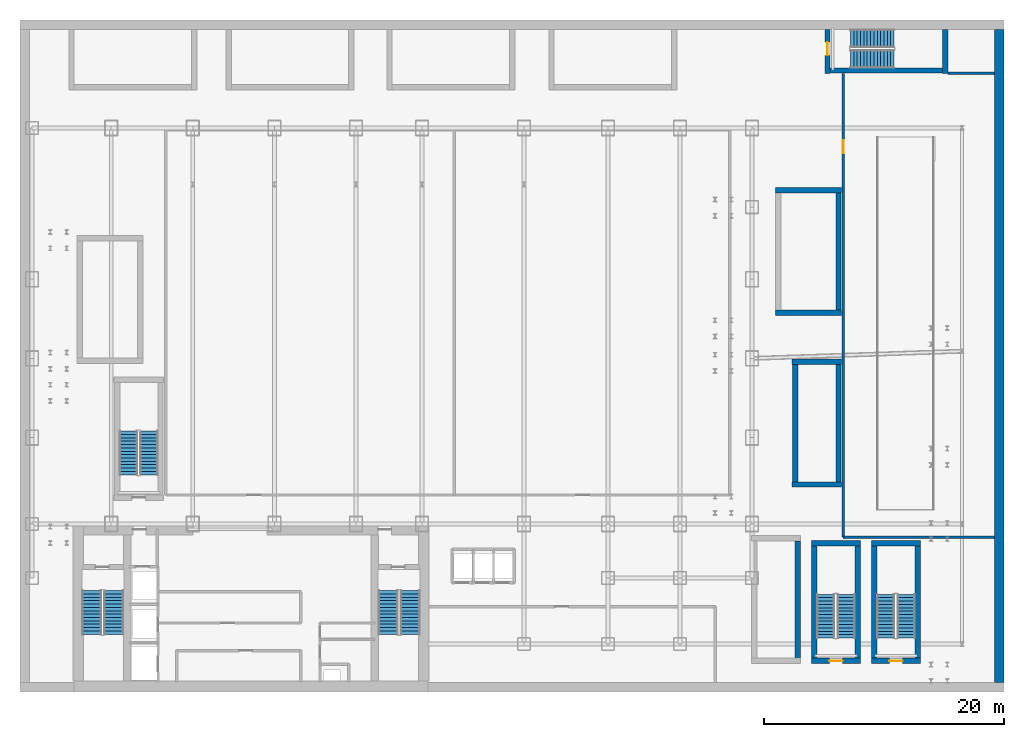
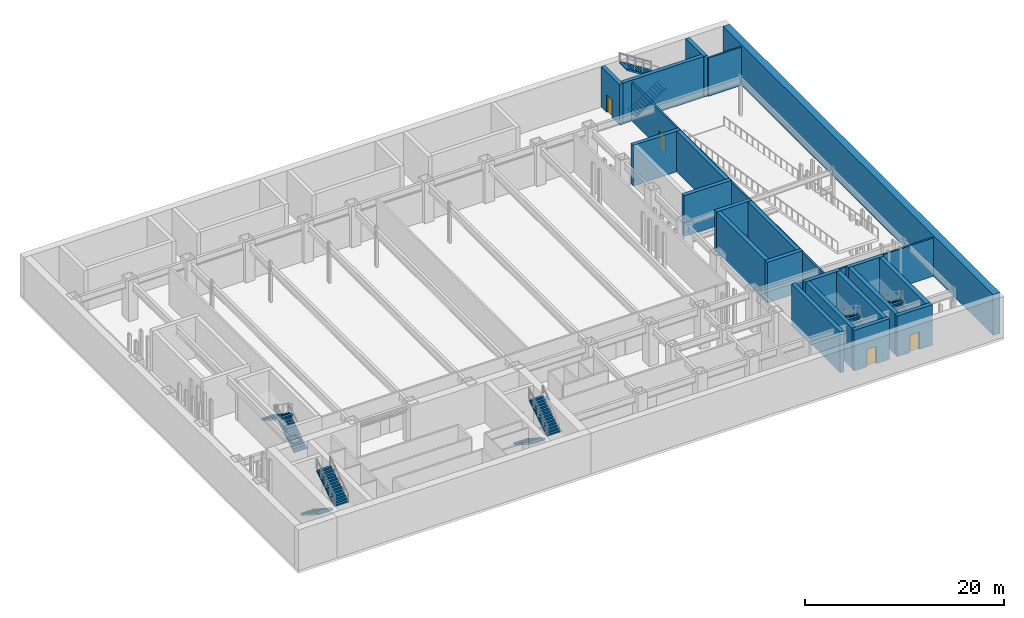
# One storey, part 12 of 16: 23 walls, 12 stair flights, 4 doors, 4 openings, 6 elements without a shape of their own.
"""IFC4 building model written with IfcOpenShell, lengths in metres."""

from ifc_helpers import new_model, si_unit, derived_unit, direction, frame, frame_2d, origin, place, context, subcontext, project, spatial, polyline, rectangle, outline, extrude, source, transform, mapped, material, layer, layer_set, type_object, element, fill, aggregate, save


model = new_model("IFC4")

# Units and contexts
model_context = context("Model", 3, precision=1e-05, world=origin(), true_north=direction((0.0, 1.0)))
body_context = subcontext(model_context, "Body", "Model", "MODEL_VIEW")
ifc_project = project(units=[si_unit("LENGTHUNIT", "METRE"), si_unit("AREAUNIT", "SQUARE_METRE"), si_unit("VOLUMEUNIT", "CUBIC_METRE"), si_unit("PLANEANGLEUNIT", "RADIAN"), si_unit("MASSUNIT", "GRAM", prefix="KILO"), derived_unit("THERMALTRANSMITTANCEUNIT", [(si_unit("POWERUNIT", "WATT"), 1), (si_unit("LENGTHUNIT", "METRE"), -2), (si_unit("THERMODYNAMICTEMPERATUREUNIT", "KELVIN"), -1)])], contexts=[model_context])

# Site, building, storey
site_placement = place(None, origin())
site = spatial("IfcSite", under=ifc_project, at=site_placement, CompositionType="ELEMENT")
building_placement = place(site_placement, origin())
building = spatial("IfcBuilding", under=site, at=building_placement, Name="Skarnbrae Concourse Arena and Tower", CompositionType="ELEMENT")
storey_placement = place(building_placement, frame((0.0, 0.0, -5.0)))
storey = spatial("IfcBuildingStorey", under=building, at=storey_placement, Name="B01", CompositionType="ELEMENT", Elevation=-5.0)

# Wall
ifc_material_1 = material(Name="Concrete 50 MPa (C50/60)", Category="concrete")
ifc_layer_1 = layer(ifc_material_1, 0.800048828125)
ifc_layer_set_1 = layer_set([ifc_layer_1], Name="Concrete 50 MPa (C50/60)")
wall_type_1 = type_object("IfcWallType", Name="WALL-RETAINING-800", PredefinedType="USERDEFINED", material=ifc_layer_set_1)
shared_shape_1 = source(origin(), body_context, "Body", "SweptSolid", [
    extrude(rectangle(XDim=54.39990234375, YDim=0.800048828125, at=frame_2d((27.199951171875, 0.0))), origin(), (0.0, 0.0, 1.0), 5.0),
])
wall_1_placement = place(storey_placement, frame((81.60009765625, 0.800048828125, 0.0), z_axis=(0.0, 0.0, 1.0), x_axis=(0.0, 1.0, 0.0)))
element("IfcWall", 1, at=wall_1_placement, inside=storey, type_object=wall_type_1, Name="B01 Basement retaining wall RW-E", ObjectType="RETAINING WALL", PredefinedType="USERDEFINED", context=body_context, shape_type="MappedRepresentation", body=[
    mapped(shared_shape_1, transform((0.0, 0.0, 0.0))),
])

# Wall, opening, door
ifc_layer_2 = layer(ifc_material_1, 0.449951171875)
ifc_layer_set_2 = layer_set([ifc_layer_2], Name="Concrete 50 MPa (C50/60)")
wall_type_2 = type_object("IfcWallType", Name="WALL-CORE-450-C50", PredefinedType="SHEAR", material=ifc_layer_set_2)
shared_shape_2 = source(origin(), body_context, "Body", "SweptSolid", [
    extrude(rectangle(XDim=4.10009765625, YDim=0.449951171875, at=frame_2d((2.050048828125, 0.0))), origin(), (0.0, 0.0, 1.0), 5.0),
])
wall_2_placement = place(storey_placement, frame((65.949951171875, 2.594970703125, 0.0), z_axis=(0.0, 0.0, 1.0), x_axis=(1.0, 0.0, 0.0)))
wall_2 = element("IfcWall", 2, at=wall_2_placement, inside=storey, type_object=wall_type_2, Name="B01 Protected stair shaft wall ST-B1-S", PredefinedType="SHEAR", context=body_context, shape_type="MappedRepresentation", body=[
    mapped(shared_shape_2, transform((0.0, 0.0, 0.0))),
])
opening_1_placement = place(wall_2_placement, frame((1.5, 0.0, 0.0)))
opening_1 = element("IfcOpeningElement", 3, at=opening_1_placement, cuts=wall_2, Name="Opening DT-03", PredefinedType="OPENING", context=body_context, shape_type="SweptSolid", body=[
    extrude(rectangle(XDim=1.10009765625, YDim=2.14990234375, at=frame_2d((0.550048828125, 1.074951171875))), frame((0.0, 0.23486328125, 0.0), z_axis=(0.0, -1.0, 0.0), x_axis=(1.0, 0.0, 0.0)), (0.0, 0.0, 1.0), 0.469970703125),
])
ifc_material_2 = material(Name="Steel CSA G40.21 350W", Category="steel")
door_type = type_object("IfcDoorType", Name="DOOR-FIRE-1100-90M", OperationType="NOTDEFINED", PredefinedType="DOOR", material=ifc_material_2)
shared_shape_3 = source(origin(), body_context, "Body", "SweptSolid", [
    extrude(rectangle(XDim=1.10009765625, YDim=2.14990234375, at=frame_2d((0.550048828125, 1.074951171875))), frame((0.0, 0.02490234375, 0.0), z_axis=(0.0, -1.0, 0.0), x_axis=(1.0, 0.0, 0.0)), (0.0, 0.0, 1.0), 0.050048828125),
])
door_1_placement = place(opening_1_placement, origin())
door_1 = element("IfcDoor", 4, at=door_1_placement, inside=storey, type_object=door_type, Name="D-0141 Exit Stair ST-B1 Door", OperationType="SINGLE_SWING_RIGHT", OverallHeight=2.14990234375, OverallWidth=1.10009765625, PredefinedType="DOOR", context=body_context, shape_type="MappedRepresentation", body=[
    mapped(shared_shape_3, transform((0.0, 0.0, 0.0))),
])
fill(opening_1, door_1)

# Wall
wall_3_placement = place(storey_placement, frame((65.949951171875, 12.405029296875, 0.0), z_axis=(0.0, 0.0, 1.0), x_axis=(1.0, 0.0, 0.0)))
element("IfcWall", 5, at=wall_3_placement, inside=storey, type_object=wall_type_2, Name="B01 Protected stair shaft wall ST-B1-N", PredefinedType="SHEAR", context=body_context, shape_type="MappedRepresentation", body=[
    mapped(shared_shape_2, transform((0.0, 0.0, 0.0))),
])

# Wall, opening, door
wall_4_placement = place(storey_placement, frame((70.949951171875, 2.594970703125, 0.0), z_axis=(0.0, 0.0, 1.0), x_axis=(1.0, 0.0, 0.0)))
wall_4 = element("IfcWall", 6, at=wall_4_placement, inside=storey, type_object=wall_type_2, Name="B01 Protected stair shaft wall ST-B2-S", PredefinedType="SHEAR", context=body_context, shape_type="MappedRepresentation", body=[
    mapped(shared_shape_2, transform((0.0, 0.0, 0.0))),
])
opening_2_placement = place(wall_4_placement, frame((1.5, 0.0, 0.0)))
opening_2 = element("IfcOpeningElement", 7, at=opening_2_placement, cuts=wall_4, Name="Opening DT-03", PredefinedType="OPENING", context=body_context, shape_type="SweptSolid", body=[
    extrude(rectangle(XDim=1.10009765625, YDim=2.14990234375, at=frame_2d((0.550048828125, 1.074951171875))), frame((0.0, 0.23486328125, 0.0), z_axis=(0.0, -1.0, 0.0), x_axis=(1.0, 0.0, 0.0)), (0.0, 0.0, 1.0), 0.469970703125),
])
door_2_placement = place(opening_2_placement, origin())
door_2 = element("IfcDoor", 8, at=door_2_placement, inside=storey, type_object=door_type, Name="D-0142 Exit Stair ST-B2 Door", OperationType="SINGLE_SWING_RIGHT", OverallHeight=2.14990234375, OverallWidth=1.10009765625, PredefinedType="DOOR", context=body_context, shape_type="MappedRepresentation", body=[
    mapped(shared_shape_3, transform((0.0, 0.0, 0.0))),
])
fill(opening_2, door_2)

# Walls
wall_5_placement = place(storey_placement, frame((70.949951171875, 12.405029296875, 0.0), z_axis=(0.0, 0.0, 1.0), x_axis=(1.0, 0.0, 0.0)))
element("IfcWall", 9, at=wall_5_placement, inside=storey, type_object=wall_type_2, Name="B01 Protected stair shaft wall ST-B2-N", PredefinedType="SHEAR", context=body_context, shape_type="MappedRepresentation", body=[
    mapped(shared_shape_2, transform((0.0, 0.0, 0.0))),
])
shared_shape_4 = source(origin(), body_context, "Body", "SweptSolid", [
    extrude(rectangle(XDim=9.800048828125, YDim=0.449951171875, at=frame_2d((4.89990234375, 0.0))), origin(), (0.0, 0.0, 1.0), 5.0),
])
for number, where, z_axis, x_axis, name in (
    (10, (64.804931640625, 2.800048828125, 0.0), (0.0, 0.0, 1.0), (0.0, 1.0, 0.0), "B01 Protected stair shaft wall ST-A1-E"),
    (11, (64.594970703125, 17.5, 0.0), (0.0, 0.0, 1.0), (0.0, 1.0, 0.0), "B01 Protected stair shaft wall ST-A2-W"),
    (12, (68.205078125, 17.5, 0.0), (0.0, 0.0, 1.0), (0.0, 1.0, 0.0), "B01 Protected stair shaft wall ST-A2-E"),
    (13, (68.205078125, 31.800048828125, 0.0), (0.0, 0.0, 1.0), (0.0, 1.0, 0.0), "B01 Protected stair shaft wall ST-A4-E"),
):
    element("IfcWall", number, at=place(storey_placement, frame(where, z_axis=z_axis, x_axis=x_axis)), inside=storey, type_object=wall_type_2, Name=name, PredefinedType="SHEAR", context=body_context, shape_type="MappedRepresentation", body=[
        mapped(shared_shape_4, transform((0.0, 0.0, 0.0))),
    ])
shared_shape_5 = source(origin(), body_context, "Body", "SweptSolid", [
    extrude(rectangle(XDim=4.099853515625, YDim=0.449951171875, at=frame_2d((2.0498046875, 0.0))), origin(), (0.0, 0.0, 1.0), 5.0),
])
for number, where, z_axis, x_axis, name in (
    (14, (64.35009765625, 17.294921875, 0.0), (0.0, 0.0, 1.0), (1.0, 0.0, 0.0), "B01 Protected stair shaft wall ST-A2-S"),
    (15, (64.35009765625, 27.5048828125, 0.0), (0.0, 0.0, 1.0), (1.0, 0.0, 0.0), "B01 Protected stair shaft wall ST-A2-N"),
):
    element("IfcWall", number, at=place(storey_placement, frame(where, z_axis=z_axis, x_axis=x_axis)), inside=storey, type_object=wall_type_2, Name=name, PredefinedType="SHEAR", context=body_context, shape_type="MappedRepresentation", body=[
        mapped(shared_shape_5, transform((0.0, 0.0, 0.0))),
    ])
shared_shape_6 = source(origin(), body_context, "Body", "SweptSolid", [
    extrude(rectangle(XDim=5.5, YDim=0.449951171875, at=frame_2d((2.75, 0.0))), origin(), (0.0, 0.0, 1.0), 5.0),
])
for number, where, z_axis, x_axis, name in (
    (16, (62.949951171875, 31.594970703125, 0.0), (0.0, 0.0, 1.0), (1.0, 0.0, 0.0), "B01 Protected stair shaft wall ST-A4-S"),
    (17, (62.949951171875, 41.804931640625, 0.0), (0.0, 0.0, 1.0), (1.0, 0.0, 0.0), "B01 Protected stair shaft wall ST-A4-N"),
):
    element("IfcWall", number, at=place(storey_placement, frame(where, z_axis=z_axis, x_axis=x_axis)), inside=storey, type_object=wall_type_2, Name=name, PredefinedType="SHEAR", context=body_context, shape_type="MappedRepresentation", body=[
        mapped(shared_shape_6, transform((0.0, 0.0, 0.0))),
    ])
shared_shape_7 = source(origin(), body_context, "Body", "SweptSolid", [
    extrude(rectangle(XDim=9.39990234375, YDim=0.449951171875, at=frame_2d((4.699951171875, 0.0))), origin(), (0.0, 0.0, 1.0), 5.0),
])
for number, where, z_axis, x_axis, name in (
    (18, (66.195068359375, 2.800048828125, 0.0), (0.0, 0.0, 1.0), (0.0, 1.0, 0.0), "B01 Protected stair shaft wall ST-B1-W"),
    (19, (69.804931640625, 2.800048828125, 0.0), (0.0, 0.0, 1.0), (0.0, 1.0, 0.0), "B01 Protected stair shaft wall ST-B1-E"),
    (20, (71.195068359375, 2.800048828125, 0.0), (0.0, 0.0, 1.0), (0.0, 1.0, 0.0), "B01 Protected stair shaft wall ST-B2-W"),
    (21, (74.804931640625, 2.800048828125, 0.0), (0.0, 0.0, 1.0), (0.0, 1.0, 0.0), "B01 Protected stair shaft wall ST-B2-E"),
    (22, (67.5, 51.794921875, 0.0), (0.0, 0.0, 1.0), (1.0, 0.0, 0.0), "B01 Protected stair shaft wall ST-B4-S"),
):
    element("IfcWall", number, at=place(storey_placement, frame(where, z_axis=z_axis, x_axis=x_axis)), inside=storey, type_object=wall_type_2, Name=name, PredefinedType="SHEAR", context=body_context, shape_type="MappedRepresentation", body=[
        mapped(shared_shape_7, transform((0.0, 0.0, 0.0))),
    ])

# Wall, opening, door
shared_shape_8 = source(origin(), body_context, "Body", "SweptSolid", [
    extrude(rectangle(XDim=3.64990234375, YDim=0.449951171875, at=frame_2d((1.824951171875, 0.0))), origin(), (0.0, 0.0, 1.0), 5.0),
])
wall_6_placement = place(storey_placement, frame((67.294921875, 51.550048828125, 0.0), z_axis=(0.0, 0.0, 1.0), x_axis=(0.0, 1.0, 0.0)))
wall_6 = element("IfcWall", 23, at=wall_6_placement, inside=storey, type_object=wall_type_2, Name="B01 Protected stair shaft wall ST-B4-W", PredefinedType="SHEAR", context=body_context, shape_type="MappedRepresentation", body=[
    mapped(shared_shape_8, transform((0.0, 0.0, 0.0))),
])
opening_3_placement = place(wall_6_placement, frame((1.5, 0.0, 0.0)))
opening_3 = element("IfcOpeningElement", 24, at=opening_3_placement, cuts=wall_6, Name="Opening DT-03", PredefinedType="OPENING", context=body_context, shape_type="SweptSolid", body=[
    extrude(rectangle(XDim=1.10009765625, YDim=2.14990234375, at=frame_2d((0.550048828125, 1.074951171875))), frame((0.0, 0.23486328125, 0.0), z_axis=(0.0, -1.0, 0.0), x_axis=(1.0, 0.0, 0.0)), (0.0, 0.0, 1.0), 0.469970703125),
])
door_3_placement = place(opening_3_placement, frame((1.10009765625, 0.0, 0.0), z_axis=(0.0, 0.0, 1.0), x_axis=(-1.0, 0.0, 0.0)))
door_3 = element("IfcDoor", 25, at=door_3_placement, inside=storey, type_object=door_type, Name="D-0144 Exit Stair ST-B4 Door", OperationType="SINGLE_SWING_RIGHT", OverallHeight=2.14990234375, OverallWidth=1.10009765625, PredefinedType="DOOR", context=body_context, shape_type="MappedRepresentation", body=[
    mapped(shared_shape_3, transform((0.0, 0.0, 0.0))),
])
fill(opening_3, door_3)

# Wall
wall_7_placement = place(storey_placement, frame((77.10498046875, 51.550048828125, 0.0), z_axis=(0.0, 0.0, 1.0), x_axis=(0.0, 1.0, 0.0)))
element("IfcWall", 26, at=wall_7_placement, inside=storey, type_object=wall_type_2, Name="B01 Protected stair shaft wall ST-B4-E", PredefinedType="SHEAR", context=body_context, shape_type="MappedRepresentation", body=[
    mapped(shared_shape_8, transform((0.0, 0.0, 0.0))),
])

# Wall, opening, door
ifc_material_3 = material(Name="Gypsum board on cold-formed steel studs", Category="steel")
ifc_layer_3 = layer(ifc_material_3, 0.199951171875)
ifc_layer_set_3 = layer_set([ifc_layer_3], Name="Gypsum board on cold-formed steel studs")
wall_type_3 = type_object("IfcWallType", Name="WALL-PART-200-2HR", PredefinedType="PARTITIONING", material=ifc_layer_set_3)
shared_shape_9 = source(origin(), body_context, "Body", "SweptSolid", [
    extrude(rectangle(XDim=38.650146484375, YDim=0.199951171875, at=frame_2d((19.3251953125, 0.0))), origin(), (0.0, 0.0, 1.0), 4.699951171875),
])
wall_8_placement = place(storey_placement, frame((68.60009765625, 12.89990234375, 0.0), z_axis=(0.0, 0.0, 1.0), x_axis=(0.0, 1.0, 0.0)))
wall_8 = element("IfcWall", 27, at=wall_8_placement, inside=storey, type_object=wall_type_3, Name="B01 Interior partition wall W-B01-BRMP-W", PredefinedType="PARTITIONING", context=body_context, shape_type="MappedRepresentation", body=[
    mapped(shared_shape_9, transform((0.0, 0.0, 0.0))),
])
opening_4_placement = place(wall_8_placement, frame((32.0, 0.0, 0.0)))
opening_4 = element("IfcOpeningElement", 28, at=opening_4_placement, cuts=wall_8, Name="Opening DT-03", PredefinedType="OPENING", context=body_context, shape_type="SweptSolid", body=[
    extrude(rectangle(XDim=1.10009765625, YDim=2.14990234375, at=frame_2d((0.550048828125, 1.074951171875))), frame((0.0, 0.10986328125, 0.0), z_axis=(0.0, -1.0, 0.0), x_axis=(1.0, 0.0, 0.0)), (0.0, 0.0, 1.0), 0.219970703125),
])
door_4_placement = place(opening_4_placement, origin())
door_4 = element("IfcDoor", 29, at=door_4_placement, inside=storey, type_object=door_type, Name="D-0140 Sprinkler and Ramp Bay Door", OperationType="SINGLE_SWING_LEFT", OverallHeight=2.14990234375, OverallWidth=1.10009765625, PredefinedType="DOOR", context=body_context, shape_type="MappedRepresentation", body=[
    mapped(shared_shape_3, transform((0.0, 0.0, 0.0))),
])
fill(opening_4, door_4)

# Walls
shared_shape_10 = source(origin(), body_context, "Body", "SweptSolid", [
    extrude(rectangle(XDim=12.599853515625, YDim=0.199951171875, at=frame_2d((6.2998046875, 0.0))), origin(), (0.0, 0.0, 1.0), 4.699951171875),
])
wall_9_placement = place(storey_placement, frame((68.60009765625, 12.89990234375, 0.0), z_axis=(0.0, 0.0, 1.0), x_axis=(1.0, 0.0, 0.0)))
element("IfcWall", 30, at=wall_9_placement, inside=storey, type_object=wall_type_3, Name="B01 Interior partition wall W-B01-BRMP-S", PredefinedType="PARTITIONING", context=body_context, shape_type="MappedRepresentation", body=[
    mapped(shared_shape_10, transform((0.0, 0.0, 0.0))),
])
shared_shape_11 = source(origin(), body_context, "Body", "SweptSolid", [
    extrude(rectangle(XDim=3.849853515625, YDim=0.199951171875, at=frame_2d((1.9248046875, 0.0))), origin(), (0.0, 0.0, 1.0), 4.699951171875),
])
wall_10_placement = place(storey_placement, frame((77.35009765625, 51.550048828125, 0.0), z_axis=(0.0, 0.0, 1.0), x_axis=(1.0, 0.0, 0.0)))
element("IfcWall", 31, at=wall_10_placement, inside=storey, type_object=wall_type_3, Name="B01 Interior partition wall W-B01-BRMP-N", PredefinedType="PARTITIONING", context=body_context, shape_type="MappedRepresentation", body=[
    mapped(shared_shape_11, transform((0.0, 0.0, 0.0))),
])

# Stair, stair flights
ifc_material_4 = material(Name="Concrete 40 MPa (C40/50)", Category="concrete")
stair_type_1 = type_object("IfcStairType", Name="STAIR-DOGLEG-1650", PredefinedType="HALF_TURN_STAIR", material=ifc_material_4)
stair_1_placement = place(storey_placement, origin())
stair_1 = element("IfcStair", 32, at=stair_1_placement, inside=storey, type_object=stair_type_1, Name="B01 Protected Exit Stair ST-1", PredefinedType="HALF_TURN_STAIR")
stair_flight_type_1 = type_object("IfcStairFlightType", Name="FLIGHT-STRAIGHT-1650", PredefinedType="STRAIGHT", material=ifc_material_4)
shared_shape_12 = source(origin(), body_context, "Body", "SweptSolid", [
    extrude(outline(polyline([(0.0, 0.0), (0.0, 0.178466796875), (0.280029296875, 0.178466796875), (0.280029296875, 0.357177734375), (0.56005859375, 0.357177734375), (0.56005859375, 0.53564453125), (0.840087890625, 0.53564453125), (0.840087890625, 0.71435546875), (1.1201171875, 0.71435546875), (1.1201171875, 0.892822265625), (1.39990234375, 0.892822265625), (1.39990234375, 1.071533203125), (1.679931640625, 1.071533203125), (1.679931640625, 1.25), (1.9599609375, 1.25), (1.9599609375, 1.428466796875), (2.239990234375, 1.428466796875), (2.239990234375, 1.607177734375), (2.52001953125, 1.607177734375), (2.52001953125, 1.78564453125), (2.800048828125, 1.78564453125), (2.800048828125, 1.96435546875), (3.080078125, 1.96435546875), (3.080078125, 2.142822265625), (3.360107421875, 2.142822265625), (3.360107421875, 2.321533203125), (3.639892578125, 2.321533203125), (3.639892578125, 2.5), (3.639892578125, 2.1435546875), (0.27880859375, 0.0), (0.0, 0.0)])), frame((0.0, 0.824951171875, 0.0), z_axis=(0.0, -1.0, 0.0), x_axis=(1.0, 0.0, 0.0)), (0.0, 0.0, 1.0), 1.64990234375),
])
stair_flight_1_placement = place(storey_placement, frame((5.97509765625, 8.449951171875, 0.0), z_axis=(0.0, 0.0, 1.0), x_axis=(0.0, -1.0, 0.0)))
stair_flight_1 = element("IfcStairFlight", 33, at=stair_flight_1_placement, type_object=stair_flight_type_1, Name="ST-1 flight 1", NumberOfRisers=14, NumberOfTreads=13, PredefinedType="STRAIGHT", RiserHeight=0.178571429, TreadLength=0.28, context=body_context, shape_type="MappedRepresentation", body=[
    mapped(shared_shape_12, transform((0.0, 0.0, 0.0))),
])
stair_flight_2_placement = place(storey_placement, frame((7.824951171875, 4.81005859375, 2.5), z_axis=(0.0, 0.0, 1.0), x_axis=(0.0, 1.0, 0.0)))
stair_flight_2 = element("IfcStairFlight", 34, at=stair_flight_2_placement, type_object=stair_flight_type_1, Name="ST-1 flight 2", NumberOfRisers=14, NumberOfTreads=13, PredefinedType="STRAIGHT", RiserHeight=0.178571429, TreadLength=0.28, context=body_context, shape_type="MappedRepresentation", body=[
    mapped(shared_shape_12, transform((0.0, 0.0, 0.0))),
])
aggregate(stair_1, [stair_flight_1, stair_flight_2])

stair_2_placement = place(storey_placement, origin())
stair_2 = element("IfcStair", 35, at=stair_2_placement, inside=storey, type_object=stair_type_1, Name="B01 Protected Exit Stair ST-2", PredefinedType="HALF_TURN_STAIR")
stair_flight_3_placement = place(storey_placement, frame((30.675048828125, 8.449951171875, 0.0), z_axis=(0.0, 0.0, 1.0), x_axis=(0.0, -1.0, 0.0)))
stair_flight_3 = element("IfcStairFlight", 36, at=stair_flight_3_placement, type_object=stair_flight_type_1, Name="ST-2 flight 1", NumberOfRisers=14, NumberOfTreads=13, PredefinedType="STRAIGHT", RiserHeight=0.178571429, TreadLength=0.28, context=body_context, shape_type="MappedRepresentation", body=[
    mapped(shared_shape_12, transform((0.0, 0.0, 0.0))),
])
stair_flight_4_placement = place(storey_placement, frame((32.52490234375, 4.81005859375, 2.5), z_axis=(0.0, 0.0, 1.0), x_axis=(0.0, 1.0, 0.0)))
stair_flight_4 = element("IfcStairFlight", 37, at=stair_flight_4_placement, type_object=stair_flight_type_1, Name="ST-2 flight 2", NumberOfRisers=14, NumberOfTreads=13, PredefinedType="STRAIGHT", RiserHeight=0.178571429, TreadLength=0.28, context=body_context, shape_type="MappedRepresentation", body=[
    mapped(shared_shape_12, transform((0.0, 0.0, 0.0))),
])
aggregate(stair_2, [stair_flight_3, stair_flight_4])

stair_type_2 = type_object("IfcStairType", Name="STAIR-DOGLEG-1500", PredefinedType="HALF_TURN_STAIR", material=ifc_material_4)
stair_3_placement = place(storey_placement, origin())
stair_3 = element("IfcStair", 38, at=stair_3_placement, inside=storey, type_object=stair_type_2, Name="B01 Substructure Exit Stair ST-B1", PredefinedType="HALF_TURN_STAIR")
stair_flight_type_2 = type_object("IfcStairFlightType", Name="FLIGHT-STRAIGHT-1500", PredefinedType="STRAIGHT", material=ifc_material_4)
shared_shape_13 = source(origin(), body_context, "Body", "SweptSolid", [
    extrude(outline(polyline([(0.0, 0.0), (0.0, 0.178466796875), (0.280029296875, 0.178466796875), (0.280029296875, 0.357177734375), (0.56005859375, 0.357177734375), (0.56005859375, 0.53564453125), (0.840087890625, 0.53564453125), (0.840087890625, 0.71435546875), (1.1201171875, 0.71435546875), (1.1201171875, 0.892822265625), (1.39990234375, 0.892822265625), (1.39990234375, 1.071533203125), (1.679931640625, 1.071533203125), (1.679931640625, 1.25), (1.9599609375, 1.25), (1.9599609375, 1.428466796875), (2.239990234375, 1.428466796875), (2.239990234375, 1.607177734375), (2.52001953125, 1.607177734375), (2.52001953125, 1.78564453125), (2.800048828125, 1.78564453125), (2.800048828125, 1.96435546875), (3.080078125, 1.96435546875), (3.080078125, 2.142822265625), (3.360107421875, 2.142822265625), (3.360107421875, 2.321533203125), (3.639892578125, 2.321533203125), (3.639892578125, 2.5), (3.639892578125, 2.1435546875), (0.27880859375, 0.0), (0.0, 0.0)])), frame((0.0, 0.75, 0.0), z_axis=(0.0, -1.0, 0.0), x_axis=(1.0, 0.0, 0.0)), (0.0, 0.0, 1.0), 1.5),
])
stair_flight_5_placement = place(storey_placement, frame((68.85009765625, 4.5, 0.0), z_axis=(0.0, 0.0, 1.0), x_axis=(0.0, 1.0, 0.0)))
stair_flight_5 = element("IfcStairFlight", 39, at=stair_flight_5_placement, type_object=stair_flight_type_2, Name="ST-B1 flight 1", NumberOfRisers=14, NumberOfTreads=13, PredefinedType="STRAIGHT", RiserHeight=0.178571429, TreadLength=0.28, context=body_context, shape_type="MappedRepresentation", body=[
    mapped(shared_shape_13, transform((0.0, 0.0, 0.0))),
])
stair_flight_6_placement = place(storey_placement, frame((67.14990234375, 8.139892578125, 2.5), z_axis=(0.0, 0.0, 1.0), x_axis=(0.0, -1.0, 0.0)))
stair_flight_6 = element("IfcStairFlight", 40, at=stair_flight_6_placement, type_object=stair_flight_type_2, Name="ST-B1 flight 2", NumberOfRisers=14, NumberOfTreads=13, PredefinedType="STRAIGHT", RiserHeight=0.178571429, TreadLength=0.28, context=body_context, shape_type="MappedRepresentation", body=[
    mapped(shared_shape_13, transform((0.0, 0.0, 0.0))),
])
aggregate(stair_3, [stair_flight_5, stair_flight_6])

stair_4_placement = place(storey_placement, origin())
stair_4 = element("IfcStair", 41, at=stair_4_placement, inside=storey, type_object=stair_type_2, Name="B01 Substructure Exit Stair ST-B2", PredefinedType="HALF_TURN_STAIR")
stair_flight_7_placement = place(storey_placement, frame((73.85009765625, 4.5, 0.0), z_axis=(0.0, 0.0, 1.0), x_axis=(0.0, 1.0, 0.0)))
stair_flight_7 = element("IfcStairFlight", 42, at=stair_flight_7_placement, type_object=stair_flight_type_2, Name="ST-B2 flight 1", NumberOfRisers=14, NumberOfTreads=13, PredefinedType="STRAIGHT", RiserHeight=0.178571429, TreadLength=0.28, context=body_context, shape_type="MappedRepresentation", body=[
    mapped(shared_shape_13, transform((0.0, 0.0, 0.0))),
])
stair_flight_8_placement = place(storey_placement, frame((72.14990234375, 8.139892578125, 2.5), z_axis=(0.0, 0.0, 1.0), x_axis=(0.0, -1.0, 0.0)))
stair_flight_8 = element("IfcStairFlight", 43, at=stair_flight_8_placement, type_object=stair_flight_type_2, Name="ST-B2 flight 2", NumberOfRisers=14, NumberOfTreads=13, PredefinedType="STRAIGHT", RiserHeight=0.178571429, TreadLength=0.28, context=body_context, shape_type="MappedRepresentation", body=[
    mapped(shared_shape_13, transform((0.0, 0.0, 0.0))),
])
aggregate(stair_4, [stair_flight_7, stair_flight_8])

stair_5_placement = place(storey_placement, origin())
stair_5 = element("IfcStair", 44, at=stair_5_placement, inside=storey, type_object=stair_type_2, Name="B01 Substructure Exit Stair ST-B3", PredefinedType="HALF_TURN_STAIR")
stair_flight_9_placement = place(storey_placement, frame((10.75, 18.10009765625, 0.0), z_axis=(0.0, 0.0, 1.0), x_axis=(0.0, 1.0, 0.0)))
stair_flight_9 = element("IfcStairFlight", 45, at=stair_flight_9_placement, type_object=stair_flight_type_2, Name="ST-B3 flight 1", NumberOfRisers=14, NumberOfTreads=13, PredefinedType="STRAIGHT", RiserHeight=0.178571429, TreadLength=0.28, context=body_context, shape_type="MappedRepresentation", body=[
    mapped(shared_shape_13, transform((0.0, 0.0, 0.0))),
])
stair_flight_10_placement = place(storey_placement, frame((9.050048828125, 21.739990234375, 2.5), z_axis=(0.0, 0.0, 1.0), x_axis=(0.0, -1.0, 0.0)))
stair_flight_10 = element("IfcStairFlight", 46, at=stair_flight_10_placement, type_object=stair_flight_type_2, Name="ST-B3 flight 2", NumberOfRisers=14, NumberOfTreads=13, PredefinedType="STRAIGHT", RiserHeight=0.178571429, TreadLength=0.28, context=body_context, shape_type="MappedRepresentation", body=[
    mapped(shared_shape_13, transform((0.0, 0.0, 0.0))),
])
aggregate(stair_5, [stair_flight_9, stair_flight_10])

stair_6_placement = place(storey_placement, origin())
stair_6 = element("IfcStair", 47, at=stair_6_placement, inside=storey, type_object=stair_type_2, Name="B01 Substructure Exit Stair ST-B4", PredefinedType="HALF_TURN_STAIR")
stair_flight_11_placement = place(storey_placement, frame((69.199951171875, 52.75, 0.0), z_axis=(0.0, 0.0, 1.0), x_axis=(1.0, 0.0, 0.0)))
stair_flight_11 = element("IfcStairFlight", 48, at=stair_flight_11_placement, type_object=stair_flight_type_2, Name="ST-B4 flight 1", NumberOfRisers=14, NumberOfTreads=13, PredefinedType="STRAIGHT", RiserHeight=0.178571429, TreadLength=0.28, context=body_context, shape_type="MappedRepresentation", body=[
    mapped(shared_shape_13, transform((0.0, 0.0, 0.0))),
])
stair_flight_12_placement = place(storey_placement, frame((72.840087890625, 54.449951171875, 2.5), z_axis=(0.0, 0.0, 1.0), x_axis=(-1.0, 0.0, 0.0)))
stair_flight_12 = element("IfcStairFlight", 49, at=stair_flight_12_placement, type_object=stair_flight_type_2, Name="ST-B4 flight 2", NumberOfRisers=14, NumberOfTreads=13, PredefinedType="STRAIGHT", RiserHeight=0.178571429, TreadLength=0.28, context=body_context, shape_type="MappedRepresentation", body=[
    mapped(shared_shape_13, transform((0.0, 0.0, 0.0))),
])
aggregate(stair_6, [stair_flight_11, stair_flight_12])

save(model, "model.ifc")
